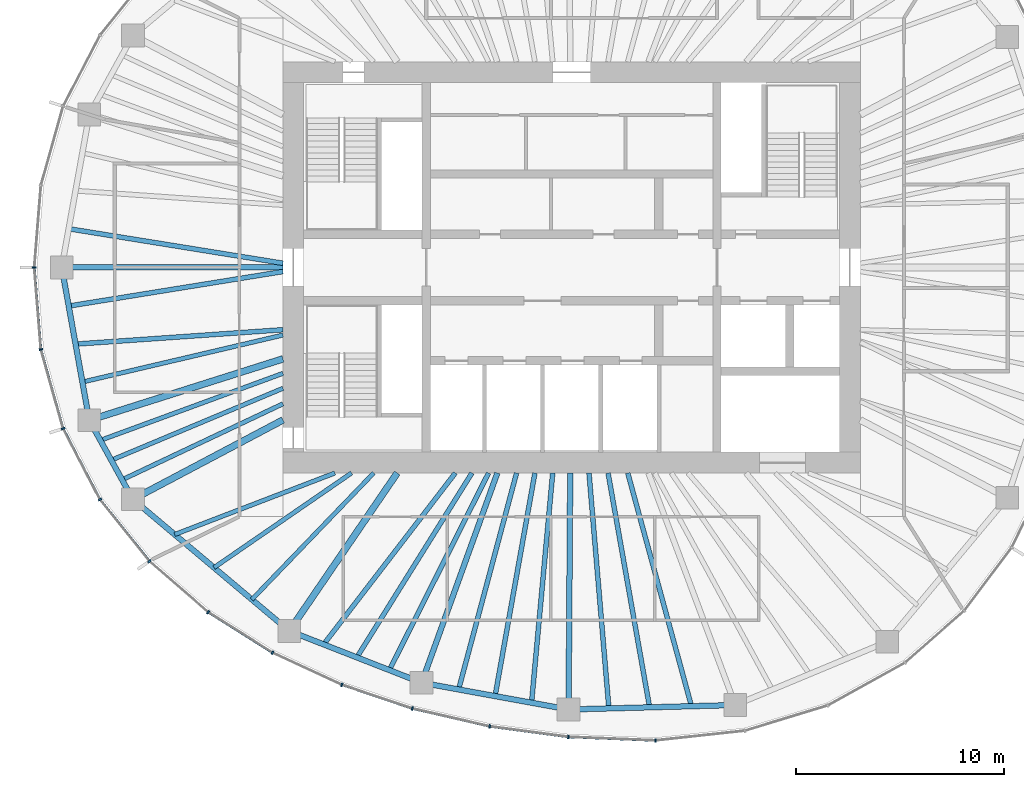
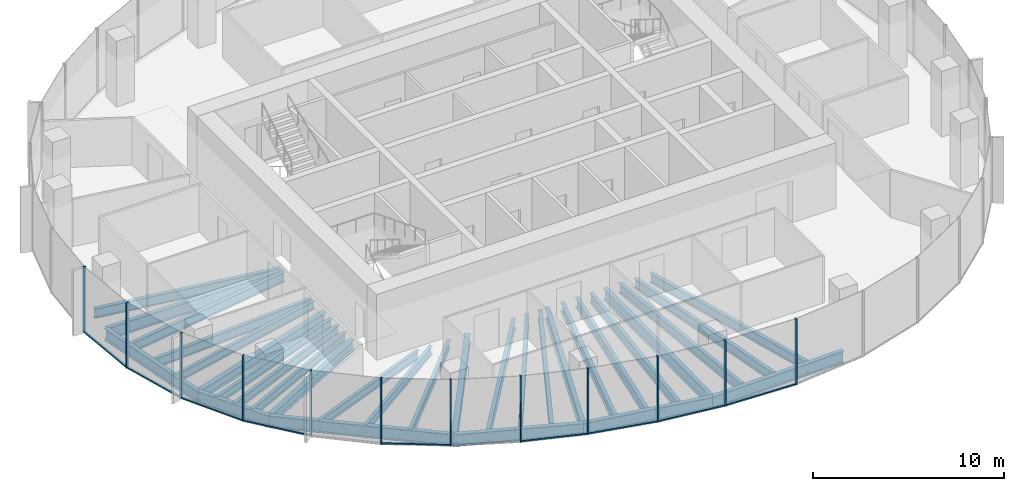
# One storey, part 2 of 11: 31 beams, 21 members, 6 elements without a shape of their own.
"""IFC4 building model written with IfcOpenShell, lengths in metres."""

from ifc_helpers import new_model, si_unit, direction, frame, origin, origin_2d, place, context, subcontext, project, spatial, rectangle, i_section, extrude, material, material_profile, profile_set, type_object, element, aggregate, save


model = new_model("IFC4")

# Units and contexts
model_context = context("Model", 3, precision=1e-05, world=origin(), true_north=direction((0.0, 1.0)))
body_context = subcontext(model_context, "Body", "Model", "MODEL_VIEW")
ifc_project = project(units=[si_unit("LENGTHUNIT", "METRE"), si_unit("AREAUNIT", "SQUARE_METRE"), si_unit("VOLUMEUNIT", "CUBIC_METRE"), si_unit("PLANEANGLEUNIT", "RADIAN"), si_unit("MASSUNIT", "GRAM", prefix="KILO")], contexts=[model_context])

# Site, building, storey
site_placement = place(None, origin())
site = spatial("IfcSite", under=ifc_project, at=site_placement, CompositionType="ELEMENT")
building_placement = place(site_placement, origin())
building = spatial("IfcBuilding", under=site, at=building_placement, Name="Ghaith Harvest Tower", CompositionType="ELEMENT")
storey_placement = place(building_placement, frame((0.0, 0.0, 288.0)))
storey = spatial("IfcBuildingStorey", under=building, at=storey_placement, Name="L64", CompositionType="ELEMENT", Elevation=288.0)

# Curtain wall, members
ifc_material_1 = material(Name="Black anodised aluminium and fritted glass", Category="aluminium")
curtain_wall_type = type_object("IfcCurtainWallType", Name="CW-T CURTAIN WALL", PredefinedType="NOTDEFINED", material=ifc_material_1)
curtain_wall_1_placement = place(storey_placement, origin())
curtain_wall_1 = element("IfcCurtainWall", 1, at=curtain_wall_1_placement, inside=storey, type_object=curtain_wall_type, Name="Curtain wall CW-T bay 11 L64", PredefinedType="NOTDEFINED")
ifc_material_2 = material(Name="Aluminium, black anodised", Category="aluminium")
ifc_material_profile_1 = material_profile(ifc_material_2, rectangle(XDim=0.080078125, YDim=0.179931640625, at=origin_2d()), Name="CW-T MULLION 80x180")
ifc_profile_set_1 = profile_set([ifc_material_profile_1], Name="Aluminium, black anodised")
member_type_1 = type_object("IfcMemberType", Name="CW-T MULLION 80x180", PredefinedType="MULLION", material=ifc_profile_set_1)
member_1_placement = place(storey_placement, frame((-25.8701171875, 0.0, 0.0), z_axis=(0.0, 0.0, 1.0), x_axis=(-1.05e-10, -1.0, 0.0)))
member_1 = element("IfcMember", 2, at=member_1_placement, type_object=member_type_1, Name="CW-T mullion 1 bay 11 L64", PredefinedType="MULLION", context=body_context, shape_type="SweptSolid", body=[
    extrude(rectangle(XDim=0.080078125, YDim=0.179931640625, at=origin_2d()), origin(), (0.0, 0.0, 1.0), 4.199951171875),
])
member_2_placement = place(storey_placement, frame((-25.5517578125, -3.9521484375, 0.0), z_axis=(0.0, 0.0, 1.0), x_axis=(0.176001391003, -0.98438991785, 0.0)))
member_2 = element("IfcMember", 3, at=member_2_placement, type_object=member_type_1, Name="CW-T mullion 2 bay 11 L64", PredefinedType="MULLION", context=body_context, shape_type="SweptSolid", body=[
    extrude(rectangle(XDim=0.080078125, YDim=0.179931640625, at=origin_2d()), origin(), (0.0, 0.0, 1.0), 4.199951171875),
])

curtain_wall_2_placement = place(storey_placement, origin())
curtain_wall_2 = element("IfcCurtainWall", 4, at=curtain_wall_2_placement, inside=storey, type_object=curtain_wall_type, Name="Curtain wall CW-T bay 12 L64", PredefinedType="NOTDEFINED")
member_3_placement = place(storey_placement, frame((-24.482666015625, -7.759033203125, 0.0), z_axis=(0.0, 0.0, 1.0), x_axis=(0.366473104734, -0.930428645038, 0.0)))
member_3 = element("IfcMember", 5, at=member_3_placement, type_object=member_type_1, Name="CW-T mullion 1 bay 12 L64", PredefinedType="MULLION", context=body_context, shape_type="SweptSolid", body=[
    extrude(rectangle(XDim=0.080078125, YDim=0.179931640625, at=origin_2d()), origin(), (0.0, 0.0, 1.0), 4.199951171875),
])
member_4_placement = place(storey_placement, frame((-22.706298828125, -11.176513671875, 0.0), z_axis=(0.0, 0.0, 1.0), x_axis=(0.545865412431, -0.837872873121, 0.0)))
member_4 = element("IfcMember", 6, at=member_4_placement, type_object=member_type_1, Name="CW-T mullion 2 bay 12 L64", PredefinedType="MULLION", context=body_context, shape_type="SweptSolid", body=[
    extrude(rectangle(XDim=0.080078125, YDim=0.179931640625, at=origin_2d()), origin(), (0.0, 0.0, 1.0), 4.199951171875),
])

curtain_wall_3_placement = place(storey_placement, origin())
curtain_wall_3 = element("IfcCurtainWall", 7, at=curtain_wall_3_placement, inside=storey, type_object=curtain_wall_type, Name="Curtain wall CW-T bay 13 L64", PredefinedType="NOTDEFINED")
member_5_placement = place(storey_placement, frame((-20.324462890625, -14.141845703125, 0.0), z_axis=(0.0, 0.0, 1.0), x_axis=(0.692826491831, -0.721104328248, 0.0)))
member_5 = element("IfcMember", 8, at=member_5_placement, type_object=member_type_1, Name="CW-T mullion 1 bay 13 L64", PredefinedType="MULLION", context=body_context, shape_type="SweptSolid", body=[
    extrude(rectangle(XDim=0.080078125, YDim=0.179931640625, at=origin_2d()), origin(), (0.0, 0.0, 1.0), 4.199951171875),
])
member_6_placement = place(storey_placement, frame((-17.49462890625, -16.600830078125, 0.0), z_axis=(0.0, 0.0, 1.0), x_axis=(0.802189888845, -0.59706899286, 0.0)))
member_6 = element("IfcMember", 9, at=member_6_placement, type_object=member_type_1, Name="CW-T mullion 2 bay 13 L64", PredefinedType="MULLION", context=body_context, shape_type="SweptSolid", body=[
    extrude(rectangle(XDim=0.080078125, YDim=0.179931640625, at=origin_2d()), origin(), (0.0, 0.0, 1.0), 4.199951171875),
])

curtain_wall_4_placement = place(storey_placement, origin())
curtain_wall_4 = element("IfcCurtainWall", 10, at=curtain_wall_4_placement, inside=storey, type_object=curtain_wall_type, Name="Curtain wall CW-T bay 14 L64", PredefinedType="NOTDEFINED")
member_7_placement = place(storey_placement, frame((-14.40478515625, -18.5478515625, 0.0), z_axis=(0.0, 0.0, 1.0), x_axis=(0.878671732732, -0.477426419564, 0.0)))
member_7 = element("IfcMember", 11, at=member_7_placement, type_object=member_type_1, Name="CW-T mullion 1 bay 14 L64", PredefinedType="MULLION", context=body_context, shape_type="SweptSolid", body=[
    extrude(rectangle(XDim=0.080078125, YDim=0.179931640625, at=origin_2d()), origin(), (0.0, 0.0, 1.0), 4.199951171875),
])
member_8_placement = place(storey_placement, frame((-11.0673828125, -20.093017578125, 0.0), z_axis=(0.0, 0.0, 1.0), x_axis=(0.92862442092, -0.371021138038, 0.0)))
member_8 = element("IfcMember", 12, at=member_8_placement, type_object=member_type_1, Name="CW-T mullion 2 bay 14 L64", PredefinedType="MULLION", context=body_context, shape_type="SweptSolid", body=[
    extrude(rectangle(XDim=0.080078125, YDim=0.179931640625, at=origin_2d()), origin(), (0.0, 0.0, 1.0), 4.199951171875),
])

curtain_wall_5_placement = place(storey_placement, origin())
curtain_wall_5 = element("IfcCurtainWall", 13, at=curtain_wall_5_placement, inside=storey, type_object=curtain_wall_type, Name="Curtain wall CW-T bay 15 L64", PredefinedType="NOTDEFINED")
member_9_placement = place(storey_placement, frame((-7.6708984375, -21.23828125, 0.0), z_axis=(0.0, 0.0, 1.0), x_axis=(0.962552491659, -0.271095372151, 0.0)))
member_9 = element("IfcMember", 14, at=member_9_placement, type_object=member_type_1, Name="CW-T mullion 1 bay 15 L64", PredefinedType="MULLION", context=body_context, shape_type="SweptSolid", body=[
    extrude(rectangle(XDim=0.080078125, YDim=0.179931640625, at=origin_2d()), origin(), (0.0, 0.0, 1.0), 4.199951171875),
])
member_10_placement = place(storey_placement, frame((-3.946533203125, -22.0986328125, 0.0), z_axis=(0.0, 0.0, 1.0), x_axis=(0.983843447712, -0.179030920217, 0.0)))
member_10 = element("IfcMember", 15, at=member_10_placement, type_object=member_type_1, Name="CW-T mullion 2 bay 15 L64", PredefinedType="MULLION", context=body_context, shape_type="SweptSolid", body=[
    extrude(rectangle(XDim=0.080078125, YDim=0.179931640625, at=origin_2d()), origin(), (0.0, 0.0, 1.0), 4.199951171875),
])

curtain_wall_6_placement = place(storey_placement, origin())
curtain_wall_6 = element("IfcCurtainWall", 16, at=curtain_wall_6_placement, inside=storey, type_object=curtain_wall_type, Name="Curtain wall CW-T bay 16 L64", PredefinedType="NOTDEFINED")
member_11_placement = place(storey_placement, frame((-0.15478515625, -22.60595703125, 0.0), z_axis=(0.0, 0.0, 1.0), x_axis=(0.996414855524, -0.084601629366, 0.0)))
member_11 = element("IfcMember", 17, at=member_11_placement, type_object=member_type_1, Name="CW-T mullion 1 bay 16 L64", PredefinedType="MULLION", context=body_context, shape_type="SweptSolid", body=[
    extrude(rectangle(XDim=0.080078125, YDim=0.179931640625, at=origin_2d()), origin(), (0.0, 0.0, 1.0), 4.199951171875),
])
member_12_placement = place(storey_placement, frame((4.037841796875, -22.776611328125, 0.0), z_axis=(0.0, 0.0, 1.0), x_axis=(0.999388631241, 0.034962318939, 0.0)))
member_12 = element("IfcMember", 18, at=member_12_placement, type_object=member_type_1, Name="CW-T mullion 2 bay 16 L64", PredefinedType="MULLION", context=body_context, shape_type="SweptSolid", body=[
    extrude(rectangle(XDim=0.080078125, YDim=0.179931640625, at=origin_2d()), origin(), (0.0, 0.0, 1.0), 4.199951171875),
])

# Member
ifc_material_3 = material(Name="Aluminium, black anodised", Category="aluminium")
ifc_material_profile_2 = material_profile(ifc_material_3, rectangle(XDim=0.1201171875, YDim=0.080078125, at=origin_2d()), Name="CW-T TRANSOM 120x80")
ifc_profile_set_2 = profile_set([ifc_material_profile_2], Name="Aluminium, black anodised")
member_type_2 = type_object("IfcMemberType", Name="CW-T TRANSOM 120x80", PredefinedType="USERDEFINED", material=ifc_profile_set_2)
member_13_placement = place(storey_placement, frame((-25.86669921875, -0.039794921875, 0.0400390625), z_axis=(0.08025226314, -0.996774585481, 0.0), x_axis=(0.996774585481, 0.08025226314, 0.0)))
member_13 = element("IfcMember", 19, at=member_13_placement, type_object=member_type_2, Name="CW-T transom 1 bay 11 L64", ObjectType="TRANSOM", PredefinedType="USERDEFINED", context=body_context, shape_type="SweptSolid", body=[
    extrude(rectangle(XDim=0.1201171875, YDim=0.080078125, at=origin_2d()), origin(), (0.0, 0.0, 1.0), 3.884765625),
])

member_14_placement = place(storey_placement, frame((-25.541015625, -3.990478515625, 0.0400390625), z_axis=(0.270340422972, -0.962764797709, 0.0), x_axis=(0.962764797709, 0.270340422972, 0.0)))
member_14 = element("IfcMember", 20, at=member_14_placement, type_object=member_type_2, Name="CW-T transom 2 bay 11 L64", ObjectType="TRANSOM", PredefinedType="USERDEFINED", context=body_context, shape_type="SweptSolid", body=[
    extrude(rectangle(XDim=0.1201171875, YDim=0.080078125, at=origin_2d()), origin(), (0.0, 0.0, 1.0), 3.874267578125),
])

aggregate(curtain_wall_1, [member_1, member_13, member_2, member_14])

member_15_placement = place(storey_placement, frame((-24.46435546875, -7.79443359375, 0.0400390625), z_axis=(0.461242681347, -0.887274021317, 0.0), x_axis=(0.887274021317, 0.461242681347, 0.0)))
member_15 = element("IfcMember", 21, at=member_15_placement, type_object=member_type_2, Name="CW-T transom 1 bay 12 L64", ObjectType="TRANSOM", PredefinedType="USERDEFINED", context=body_context, shape_type="SweptSolid", body=[
    extrude(rectangle(XDim=0.1201171875, YDim=0.080078125, at=origin_2d()), origin(), (0.0, 0.0, 1.0), 3.77197265625),
])

member_16_placement = place(storey_placement, frame((-22.68115234375, -11.207763671875, 0.0400390625), z_axis=(0.626253073761, -0.779619835307, 0.0), x_axis=(0.779619835307, 0.626253073761, 0.0)))
member_16 = element("IfcMember", 22, at=member_16_placement, type_object=member_type_2, Name="CW-T transom 2 bay 12 L64", ObjectType="TRANSOM", PredefinedType="USERDEFINED", context=body_context, shape_type="SweptSolid", body=[
    extrude(rectangle(XDim=0.1201171875, YDim=0.080078125, at=origin_2d()), origin(), (0.0, 0.0, 1.0), 3.723388671875),
])

aggregate(curtain_wall_2, [member_3, member_15, member_4, member_16])

member_17_placement = place(storey_placement, frame((-17.4609375, -16.6220703125, 0.0400390625), z_axis=(0.846053602505, -0.533097835006, 0.0), x_axis=(0.533097835006, 0.846053602505, 0.0)))
member_17 = element("IfcMember", 23, at=member_17_placement, type_object=member_type_2, Name="CW-T transom 2 bay 13 L64", ObjectType="TRANSOM", PredefinedType="USERDEFINED", context=body_context, shape_type="SweptSolid", body=[
    extrude(rectangle(XDim=0.1201171875, YDim=0.080078125, at=origin_2d()), origin(), (0.0, 0.0, 1.0), 3.572021484375),
])

aggregate(curtain_wall_3, [member_5, member_6, member_17])

member_18_placement = place(storey_placement, frame((-11.029541015625, -20.105712890625, 0.0400390625), z_axis=(0.9475698206, -0.319548799228, 0.0), x_axis=(0.319548799228, 0.9475698206, 0.0)))
member_18 = element("IfcMember", 24, at=member_18_placement, type_object=member_type_2, Name="CW-T transom 2 bay 14 L64", ObjectType="TRANSOM", PredefinedType="USERDEFINED", context=body_context, shape_type="SweptSolid", body=[
    extrude(rectangle(XDim=0.1201171875, YDim=0.080078125, at=origin_2d()), origin(), (0.0, 0.0, 1.0), 3.504638671875),
])

aggregate(curtain_wall_4, [member_7, member_8, member_18])

member_19_placement = place(storey_placement, frame((-7.6318359375, -21.247314453125, 0.0400390625), z_axis=(0.974344997799, -0.225059603803, 0.0), x_axis=(0.225059603803, 0.974344997799, 0.0)))
member_19 = element("IfcMember", 25, at=member_19_placement, type_object=member_type_2, Name="CW-T transom 1 bay 15 L64", ObjectType="TRANSOM", PredefinedType="USERDEFINED", context=body_context, shape_type="SweptSolid", body=[
    extrude(rectangle(XDim=0.1201171875, YDim=0.080078125, at=origin_2d()), origin(), (0.0, 0.0, 1.0), 3.742431640625),
])

member_20_placement = place(storey_placement, frame((-3.90673828125, -22.10400390625, 0.0400390625), z_axis=(0.99117202259, -0.132582131655, 0.0), x_axis=(0.132582131655, 0.99117202259, 0.0)))
member_20 = element("IfcMember", 26, at=member_20_placement, type_object=member_type_2, Name="CW-T transom 2 bay 15 L64", ObjectType="TRANSOM", PredefinedType="USERDEFINED", context=body_context, shape_type="SweptSolid", body=[
    extrude(rectangle(XDim=0.1201171875, YDim=0.080078125, at=origin_2d()), origin(), (0.0, 0.0, 1.0), 3.745361328125),
])

aggregate(curtain_wall_5, [member_9, member_19, member_10, member_20])

member_21_placement = place(storey_placement, frame((-0.11474609375, -22.607666015625, 0.0400390625), z_axis=(0.999174207562, -0.040631304968, 0.0), x_axis=(0.040631304968, 0.999174207562, 0.0)))
member_21 = element("IfcMember", 27, at=member_21_placement, type_object=member_type_2, Name="CW-T transom 1 bay 16 L64", ObjectType="TRANSOM", PredefinedType="USERDEFINED", context=body_context, shape_type="SweptSolid", body=[
    extrude(rectangle(XDim=0.1201171875, YDim=0.080078125, at=origin_2d()), origin(), (0.0, 0.0, 1.0), 4.115966796875),
])

aggregate(curtain_wall_6, [member_11, member_21, member_12])

# Beams
ifc_material_4 = material(Name="Steel ASTM A992 Grade 50", Category="steel")
ifc_material_profile_3 = material_profile(ifc_material_4, i_section(OverallWidth=0.26611328125, OverallDepth=0.758056640625, WebThickness=0.013916015625, FlangeThickness=0.019287109375, at=origin_2d()), Name="W760X161")
ifc_profile_set_3 = profile_set([ifc_material_profile_3], Name="Steel ASTM A992 Grade 50")
beam_type_1 = type_object("IfcBeamType", Name="E760-161 W760X161", PredefinedType="SPANDREL", material=ifc_profile_set_3)
beam_1_placement = place(storey_placement, frame((-24.550048828125, 0.0, -0.549072265625), z_axis=(0.177296554745, -0.984157473007, 0.0), x_axis=(0.984157473007, 0.177296554745, 0.0)))
element("IfcBeam", 28, at=beam_1_placement, inside=storey, type_object=beam_type_1, Name="Edge beam E11 L64", PredefinedType="SPANDREL", context=body_context, shape_type="SweptSolid", body=[
    extrude(i_section(OverallWidth=0.26611328125, OverallDepth=0.758056640625, WebThickness=0.013916015625, FlangeThickness=0.019287109375, at=origin_2d()), origin(), (0.0, 0.0, 1.0), 7.478515625),
])
beam_2_placement = place(storey_placement, frame((-23.22412109375, -7.360107421875, -0.549072265625), z_axis=(0.482955575345, -0.875644855089, 0.0), x_axis=(0.875644855089, 0.482955575345, 0.0)))
element("IfcBeam", 29, at=beam_2_placement, inside=storey, type_object=beam_type_1, Name="Edge beam E12 L64", PredefinedType="SPANDREL", context=body_context, shape_type="SweptSolid", body=[
    extrude(i_section(OverallWidth=0.26611328125, OverallDepth=0.758056640625, WebThickness=0.013916015625, FlangeThickness=0.019287109375, at=origin_2d()), origin(), (0.0, 0.0, 1.0), 4.346435546875),
])
beam_3_placement = place(storey_placement, frame((-21.125, -11.166015625, -0.549072265625), z_axis=(0.765021818761, -0.64400436087, 0.0), x_axis=(0.64400436087, 0.765021818761, 0.0)))
element("IfcBeam", 30, at=beam_3_placement, inside=storey, type_object=beam_type_1, Name="Edge beam E13 L64", PredefinedType="SPANDREL", context=body_context, shape_type="SweptSolid", body=[
    extrude(i_section(OverallWidth=0.26611328125, OverallDepth=0.758056640625, WebThickness=0.013916015625, FlangeThickness=0.019287109375, at=origin_2d()), origin(), (0.0, 0.0, 1.0), 9.8427734375),
])
beam_4_placement = place(storey_placement, frame((-13.594970703125, -17.5048828125, -0.549072265625), z_axis=(0.931322768207, -0.364194867371, 0.0), x_axis=(0.364194867371, 0.931322768207, 0.0)))
element("IfcBeam", 31, at=beam_4_placement, inside=storey, type_object=beam_type_1, Name="Edge beam E14 L64", PredefinedType="SPANDREL", context=body_context, shape_type="SweptSolid", body=[
    extrude(i_section(OverallWidth=0.26611328125, OverallDepth=0.758056640625, WebThickness=0.013916015625, FlangeThickness=0.019287109375, at=origin_2d()), origin(), (0.0, 0.0, 1.0), 6.843017578125),
])
beam_5_placement = place(storey_placement, frame((-7.221923828125, -19.9970703125, -0.549072265625), z_axis=(0.983813921429, -0.179193102551, 0.0), x_axis=(0.179193102551, 0.983813921429, 0.0)))
element("IfcBeam", 32, at=beam_5_placement, inside=storey, type_object=beam_type_1, Name="Edge beam E15 L64", PredefinedType="SPANDREL", context=body_context, shape_type="SweptSolid", body=[
    extrude(i_section(OverallWidth=0.26611328125, OverallDepth=0.758056640625, WebThickness=0.013916015625, FlangeThickness=0.019287109375, at=origin_2d()), origin(), (0.0, 0.0, 1.0), 7.1923828125),
])
beam_6_placement = place(storey_placement, frame((-0.14599609375, -21.285888671875, -0.549072265625), z_axis=(0.999644979696, 0.02664422206, 0.0), x_axis=(-0.02664422206, 0.999644979696, 0.0)))
element("IfcBeam", 33, at=beam_6_placement, inside=storey, type_object=beam_type_1, Name="Edge beam E16 L64", PredefinedType="SPANDREL", context=body_context, shape_type="SweptSolid", body=[
    extrude(i_section(OverallWidth=0.26611328125, OverallDepth=0.758056640625, WebThickness=0.013916015625, FlangeThickness=0.019287109375, at=origin_2d()), origin(), (0.0, 0.0, 1.0), 8.02685546875),
])
ifc_material_5 = material(Name="Steel ASTM A992 Grade 50", Category="steel")
ifc_material_profile_4 = material_profile(ifc_material_5, i_section(OverallWidth=0.323974609375, OverallDepth=0.611083984375, WebThickness=0.0126953125, FlangeThickness=0.01904296875, at=origin_2d()), Name="W610X155")
ifc_profile_set_4 = profile_set([ifc_material_profile_4], Name="Steel ASTM A992 Grade 50")
beam_type_2 = type_object("IfcBeamType", Name="G610-155 W610X155", PredefinedType="BEAM", material=ifc_profile_set_4)
beam_7_placement = place(storey_placement, frame((-13.89990234375, -4.4052734375, -0.4755859375), z_axis=(-0.953278508772, -0.302092841215, 0.0), x_axis=(0.302092841215, -0.953278508772, 0.0)))
element("IfcBeam", 34, at=beam_7_placement, inside=storey, type_object=beam_type_2, Name="Radial girder G12 L64", PredefinedType="BEAM", context=body_context, shape_type="SweptSolid", body=[
    extrude(i_section(OverallWidth=0.323974609375, OverallDepth=0.611083984375, WebThickness=0.0126953125, FlangeThickness=0.01904296875, at=origin_2d()), origin(), (0.0, 0.0, 1.0), 9.78125),
])
beam_8_placement = place(storey_placement, frame((-13.89990234375, -7.34716796875, -0.4755859375), z_axis=(-0.88410164037, -0.467294649546, 0.0), x_axis=(0.467294649546, -0.88410164037, 0.0)))
element("IfcBeam", 35, at=beam_8_placement, inside=storey, type_object=beam_type_2, Name="Radial girder G13 L64", PredefinedType="BEAM", context=body_context, shape_type="SweptSolid", body=[
    extrude(i_section(OverallWidth=0.323974609375, OverallDepth=0.611083984375, WebThickness=0.0126953125, FlangeThickness=0.01904296875, at=origin_2d()), origin(), (0.0, 0.0, 1.0), 8.17236328125),
])
beam_9_placement = place(storey_placement, frame((-8.39990234375, -9.89990234375, -0.4755859375), z_axis=(-0.564067018201, -0.825729010619, 0.0), x_axis=(0.825729010619, -0.564067018201, 0.0)))
element("IfcBeam", 36, at=beam_9_placement, inside=storey, type_object=beam_type_2, Name="Radial girder G14 L64", PredefinedType="BEAM", context=body_context, shape_type="SweptSolid", body=[
    extrude(i_section(OverallWidth=0.323974609375, OverallDepth=0.611083984375, WebThickness=0.0126953125, FlangeThickness=0.01904296875, at=origin_2d()), origin(), (0.0, 0.0, 1.0), 9.2099609375),
])
ifc_material_6 = material(Name="Steel ASTM A992 Grade 50", Category="steel")
ifc_material_profile_5 = material_profile(ifc_material_6, i_section(OverallWidth=0.26611328125, OverallDepth=0.758056640625, WebThickness=0.013916015625, FlangeThickness=0.019287109375, at=origin_2d()), Name="W760X161")
ifc_profile_set_5 = profile_set([ifc_material_profile_5], Name="Steel ASTM A992 Grade 50")
beam_type_3 = type_object("IfcBeamType", Name="G760-161 W760X161", PredefinedType="BEAM", material=ifc_profile_set_5)
beam_10_placement = place(storey_placement, frame((-13.89990234375, 0.0, -0.549072265625), z_axis=(-1.0, 0.0, 0.0), x_axis=(0.0, -1.0, 0.0)))
element("IfcBeam", 37, at=beam_10_placement, inside=storey, type_object=beam_type_3, Name="Radial girder G11 L64", PredefinedType="BEAM", context=body_context, shape_type="SweptSolid", body=[
    extrude(i_section(OverallWidth=0.26611328125, OverallDepth=0.758056640625, WebThickness=0.013916015625, FlangeThickness=0.019287109375, at=origin_2d()), origin(), (0.0, 0.0, 1.0), 10.650146484375),
])
beam_11_placement = place(storey_placement, frame((-3.57568359375, -9.89990234375, -0.549072265625), z_axis=(-0.339647816823, -0.940552688863, 0.0), x_axis=(0.940552688863, -0.339647816823, 0.0)))
element("IfcBeam", 38, at=beam_11_placement, inside=storey, type_object=beam_type_3, Name="Radial girder G15 L64", PredefinedType="BEAM", context=body_context, shape_type="SweptSolid", body=[
    extrude(i_section(OverallWidth=0.26611328125, OverallDepth=0.758056640625, WebThickness=0.013916015625, FlangeThickness=0.019287109375, at=origin_2d()), origin(), (0.0, 0.0, 1.0), 10.7353515625),
])
beam_12_placement = place(storey_placement, frame((-0.06787109375, -9.89990234375, -0.549072265625), z_axis=(-0.006861343299, -0.999976460707, 0.0), x_axis=(0.999976460707, -0.006861343299, 0.0)))
element("IfcBeam", 39, at=beam_12_placement, inside=storey, type_object=beam_type_3, Name="Radial girder G16 L64", PredefinedType="BEAM", context=body_context, shape_type="SweptSolid", body=[
    extrude(i_section(OverallWidth=0.26611328125, OverallDepth=0.758056640625, WebThickness=0.013916015625, FlangeThickness=0.019287109375, at=origin_2d()), origin(), (0.0, 0.0, 1.0), 11.38623046875),
])
ifc_material_7 = material(Name="Steel ASTM A992 Grade 50", Category="steel")
ifc_material_profile_6 = material_profile(ifc_material_7, i_section(OverallWidth=0.2109375, OverallDepth=0.5390625, WebThickness=0.01171875, FlangeThickness=0.018798828125, at=origin_2d()), Name="W530X109")
ifc_profile_set_6 = profile_set([ifc_material_profile_6], Name="Steel ASTM A992 Grade 50")
beam_type_4 = type_object("IfcBeamType", Name="J530-109 W530X109", PredefinedType="JOIST", material=ifc_profile_set_6)
beam_13_placement = place(storey_placement, frame((-13.89990234375, -3.257080078125, -0.439453125), z_axis=(-0.973623403271, -0.228161058472, 0.0), x_axis=(0.228161058472, -0.973623403271, 0.0)))
element("IfcBeam", 40, at=beam_13_placement, inside=storey, type_object=beam_type_4, Name="Joist J11.3 L64", PredefinedType="JOIST", context=body_context, shape_type="SweptSolid", body=[
    extrude(i_section(OverallWidth=0.2109375, OverallDepth=0.5390625, WebThickness=0.01171875, FlangeThickness=0.018798828125, at=origin_2d()), origin(), (0.0, 0.0, 1.0), 9.9169921875),
])
beam_14_placement = place(storey_placement, frame((-13.89990234375, -5.101318359375, -0.439453125), z_axis=(-0.938776837502, -0.34452583266, 0.0), x_axis=(0.34452583266, -0.938776837502, 0.0)))
element("IfcBeam", 41, at=beam_14_placement, inside=storey, type_object=beam_type_4, Name="Joist J12.1 L64", PredefinedType="JOIST", context=body_context, shape_type="SweptSolid", body=[
    extrude(i_section(OverallWidth=0.2109375, OverallDepth=0.5390625, WebThickness=0.01171875, FlangeThickness=0.018798828125, at=origin_2d()), origin(), (0.0, 0.0, 1.0), 9.36376953125),
])
beam_15_placement = place(storey_placement, frame((-13.89990234375, -5.82080078125, -0.439453125), z_axis=(-0.922394258818, -0.38624970071, 0.0), x_axis=(0.38624970071, -0.922394258818, 0.0)))
element("IfcBeam", 42, at=beam_15_placement, inside=storey, type_object=beam_type_4, Name="Joist J12.2 L64", PredefinedType="JOIST", context=body_context, shape_type="SweptSolid", body=[
    extrude(i_section(OverallWidth=0.2109375, OverallDepth=0.5390625, WebThickness=0.01171875, FlangeThickness=0.018798828125, at=origin_2d()), origin(), (0.0, 0.0, 1.0), 8.959716796875),
])
beam_16_placement = place(storey_placement, frame((-13.89990234375, -6.56787109375, -0.439453125), z_axis=(-0.904165769726, -0.427181765594, 0.0), x_axis=(0.427181765594, -0.904165769726, 0.0)))
element("IfcBeam", 43, at=beam_16_placement, inside=storey, type_object=beam_type_4, Name="Joist J12.3 L64", PredefinedType="JOIST", context=body_context, shape_type="SweptSolid", body=[
    extrude(i_section(OverallWidth=0.2109375, OverallDepth=0.5390625, WebThickness=0.01171875, FlangeThickness=0.018798828125, at=origin_2d()), origin(), (0.0, 0.0, 1.0), 8.564208984375),
])
beam_17_placement = place(storey_placement, frame((-11.39990234375, -9.89990234375, -0.439453125), z_axis=(-0.933583045329, -0.358361127181, 0.0), x_axis=(0.358361127181, -0.933583045329, 0.0)))
element("IfcBeam", 44, at=beam_17_placement, inside=storey, type_object=beam_type_4, Name="Joist J13.1 L64", PredefinedType="JOIST", context=body_context, shape_type="SweptSolid", body=[
    extrude(i_section(OverallWidth=0.2109375, OverallDepth=0.5390625, WebThickness=0.01171875, FlangeThickness=0.018798828125, at=origin_2d()), origin(), (0.0, 0.0, 1.0), 8.260986328125),
])
beam_18_placement = place(storey_placement, frame((-10.60009765625, -9.89990234375, -0.439453125), z_axis=(-0.823778502511, -0.566911791023, 0.0), x_axis=(0.566911791023, -0.823778502511, 0.0)))
element("IfcBeam", 45, at=beam_18_placement, inside=storey, type_object=beam_type_4, Name="Joist J13.2 L64", PredefinedType="JOIST", context=body_context, shape_type="SweptSolid", body=[
    extrude(i_section(OverallWidth=0.2109375, OverallDepth=0.5390625, WebThickness=0.01171875, FlangeThickness=0.018798828125, at=origin_2d()), origin(), (0.0, 0.0, 1.0), 8.0341796875),
])
beam_19_placement = place(storey_placement, frame((-9.530517578125, -9.89990234375, -0.439453125), z_axis=(-0.693536238632, -0.720421741554, 0.0), x_axis=(0.720421741554, -0.693536238632, 0.0)))
element("IfcBeam", 46, at=beam_19_placement, inside=storey, type_object=beam_type_4, Name="Joist J13.3 L64", PredefinedType="JOIST", context=body_context, shape_type="SweptSolid", body=[
    extrude(i_section(OverallWidth=0.2109375, OverallDepth=0.5390625, WebThickness=0.01171875, FlangeThickness=0.018798828125, at=origin_2d()), origin(), (0.0, 0.0, 1.0), 8.4541015625),
])
ifc_material_8 = material(Name="Steel ASTM A992 Grade 50", Category="steel")
ifc_material_profile_7 = material_profile(ifc_material_8, i_section(OverallWidth=0.22998046875, OverallDepth=0.616943359375, WebThickness=0.01318359375, FlangeThickness=0.022216796875, at=origin_2d()), Name="W610X140")
ifc_profile_set_7 = profile_set([ifc_material_profile_7], Name="Steel ASTM A992 Grade 50")
beam_type_5 = type_object("IfcBeamType", Name="J610-140 W610X140", PredefinedType="JOIST", material=ifc_profile_set_7)
for number, where, z_axis, x_axis, name in (
    (47, (-13.89990234375, 0.199951171875, -0.478515625), (-0.987271793524, 0.159042150743, 0.0), (-0.159042150743, -0.987271793524, 0.0), "Joist J10.3 L64"),
    (48, (-13.89990234375, -0.199951171875, -0.478515625), (-0.987271793524, -0.159042150743, 0.0), (0.159042150743, -0.987271793524, 0.0), "Joist J11.1 L64"),
):
    element("IfcBeam", number, at=place(storey_placement, frame(where, z_axis=z_axis, x_axis=x_axis)), inside=storey, type_object=beam_type_5, Name=name, PredefinedType="JOIST", context=body_context, shape_type="SweptSolid", body=[
        extrude(i_section(OverallWidth=0.22998046875, OverallDepth=0.616943359375, WebThickness=0.01318359375, FlangeThickness=0.022216796875, at=origin_2d()), origin(), (0.0, 0.0, 1.0), 10.44775390625),
    ])
beam_20_placement = place(storey_placement, frame((-13.89990234375, -3.0, -0.478515625), z_axis=(-0.997592478057, -0.069348739886, 0.0), x_axis=(0.069348739886, -0.997592478057, 0.0)))
element("IfcBeam", 49, at=beam_20_placement, inside=storey, type_object=beam_type_5, Name="Joist J11.2 L64", PredefinedType="JOIST", context=body_context, shape_type="SweptSolid", body=[
    extrude(i_section(OverallWidth=0.22998046875, OverallDepth=0.616943359375, WebThickness=0.01318359375, FlangeThickness=0.022216796875, at=origin_2d()), origin(), (0.0, 0.0, 1.0), 10.0087890625),
])
beam_21_placement = place(storey_placement, frame((-5.60009765625, -9.89990234375, -0.478515625), z_axis=(-0.609353577926, -0.792898617144, 0.0), x_axis=(0.792898617144, -0.609353577926, 0.0)))
element("IfcBeam", 50, at=beam_21_placement, inside=storey, type_object=beam_type_5, Name="Joist J14.1 L64", PredefinedType="JOIST", context=body_context, shape_type="SweptSolid", body=[
    extrude(i_section(OverallWidth=0.22998046875, OverallDepth=0.616943359375, WebThickness=0.01318359375, FlangeThickness=0.022216796875, at=origin_2d()), origin(), (0.0, 0.0, 1.0), 10.406982421875),
])
beam_22_placement = place(storey_placement, frame((-4.800048828125, -9.89990234375, -0.478515625), z_axis=(-0.529596254905, -0.848249849273, 0.0), x_axis=(0.848249849273, -0.529596254905, 0.0)))
element("IfcBeam", 51, at=beam_22_placement, inside=storey, type_object=beam_type_5, Name="Joist J14.2 L64", PredefinedType="JOIST", context=body_context, shape_type="SweptSolid", body=[
    extrude(i_section(OverallWidth=0.22998046875, OverallDepth=0.616943359375, WebThickness=0.01318359375, FlangeThickness=0.022216796875, at=origin_2d()), origin(), (0.0, 0.0, 1.0), 10.465087890625),
])
beam_23_placement = place(storey_placement, frame((-4.0, -9.89990234375, -0.478515625), z_axis=(-0.449556131123, -0.893252083664, 0.0), x_axis=(0.893252083664, -0.449556131123, 0.0)))
element("IfcBeam", 52, at=beam_23_placement, inside=storey, type_object=beam_type_5, Name="Joist J14.3 L64", PredefinedType="JOIST", context=body_context, shape_type="SweptSolid", body=[
    extrude(i_section(OverallWidth=0.22998046875, OverallDepth=0.616943359375, WebThickness=0.01318359375, FlangeThickness=0.022216796875, at=origin_2d()), origin(), (0.0, 0.0, 1.0), 10.62353515625),
])
beam_24_placement = place(storey_placement, frame((-2.651123046875, -9.89990234375, -0.478515625), z_axis=(-0.258678019609, -0.965963602923, 0.0), x_axis=(0.965963602923, -0.258678019609, 0.0)))
element("IfcBeam", 53, at=beam_24_placement, inside=storey, type_object=beam_type_5, Name="Joist J15.1 L64", PredefinedType="JOIST", context=body_context, shape_type="SweptSolid", body=[
    extrude(i_section(OverallWidth=0.22998046875, OverallDepth=0.616943359375, WebThickness=0.01318359375, FlangeThickness=0.022216796875, at=origin_2d()), origin(), (0.0, 0.0, 1.0), 10.78857421875),
])
beam_25_placement = place(storey_placement, frame((-1.76806640625, -9.89990234375, -0.478515625), z_axis=(-0.175803029262, -0.984425362789, 0.0), x_axis=(0.984425362789, -0.175803029262, 0.0)))
element("IfcBeam", 54, at=beam_25_placement, inside=storey, type_object=beam_type_5, Name="Joist J15.2 L64", PredefinedType="JOIST", context=body_context, shape_type="SweptSolid", body=[
    extrude(i_section(OverallWidth=0.22998046875, OverallDepth=0.616943359375, WebThickness=0.01318359375, FlangeThickness=0.022216796875, at=origin_2d()), origin(), (0.0, 0.0, 1.0), 10.9111328125),
])
beam_26_placement = place(storey_placement, frame((-0.9111328125, -9.89990234375, -0.478515625), z_axis=(-0.091651380942, -0.995791154998, 0.0), x_axis=(0.995791154998, -0.091651380942, 0.0)))
element("IfcBeam", 55, at=beam_26_placement, inside=storey, type_object=beam_type_5, Name="Joist J15.3 L64", PredefinedType="JOIST", context=body_context, shape_type="SweptSolid", body=[
    extrude(i_section(OverallWidth=0.22998046875, OverallDepth=0.616943359375, WebThickness=0.01318359375, FlangeThickness=0.022216796875, at=origin_2d()), origin(), (0.0, 0.0, 1.0), 11.10791015625),
])
beam_27_placement = place(storey_placement, frame((0.836669921875, -9.89990234375, -0.478515625), z_axis=(0.084201795166, -0.996448723061, 0.0), x_axis=(0.996448723061, 0.084201795166, 0.0)))
element("IfcBeam", 56, at=beam_27_placement, inside=storey, type_object=beam_type_5, Name="Joist J16.1 L64", PredefinedType="JOIST", context=body_context, shape_type="SweptSolid", body=[
    extrude(i_section(OverallWidth=0.22998046875, OverallDepth=0.616943359375, WebThickness=0.01318359375, FlangeThickness=0.022216796875, at=origin_2d()), origin(), (0.0, 0.0, 1.0), 11.37451171875),
])
beam_28_placement = place(storey_placement, frame((1.7548828125, -9.89990234375, -0.478515625), z_axis=(0.174572943493, -0.98464424408, 0.0), x_axis=(0.98464424408, 0.174572943493, 0.0)))
element("IfcBeam", 57, at=beam_28_placement, inside=storey, type_object=beam_type_5, Name="Joist J16.2 L64", PredefinedType="JOIST", context=body_context, shape_type="SweptSolid", body=[
    extrude(i_section(OverallWidth=0.22998046875, OverallDepth=0.616943359375, WebThickness=0.01318359375, FlangeThickness=0.022216796875, at=origin_2d()), origin(), (0.0, 0.0, 1.0), 11.4580078125),
])
beam_29_placement = place(storey_placement, frame((2.70361328125, -9.89990234375, -0.478515625), z_axis=(0.263468802698, -0.964667916956, 0.0), x_axis=(0.964667916956, 0.263468802698, 0.0)))
element("IfcBeam", 58, at=beam_29_placement, inside=storey, type_object=beam_type_5, Name="Joist J16.3 L64", PredefinedType="JOIST", context=body_context, shape_type="SweptSolid", body=[
    extrude(i_section(OverallWidth=0.22998046875, OverallDepth=0.616943359375, WebThickness=0.01318359375, FlangeThickness=0.022216796875, at=origin_2d()), origin(), (0.0, 0.0, 1.0), 11.639404296875),
])

save(model, "model.ifc")
